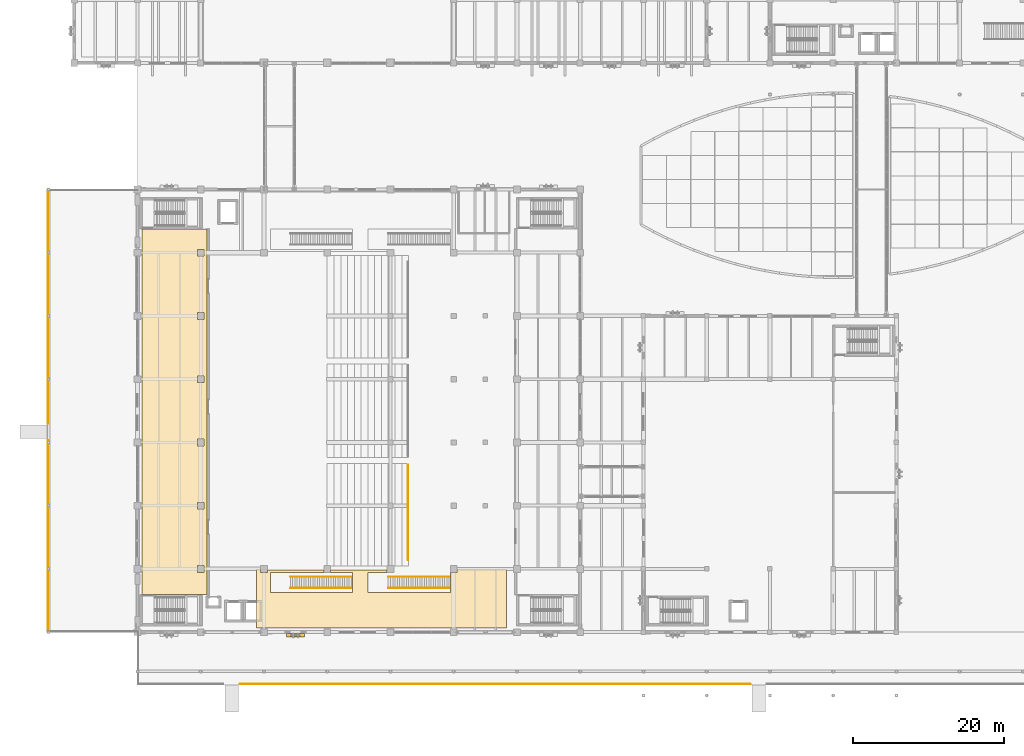
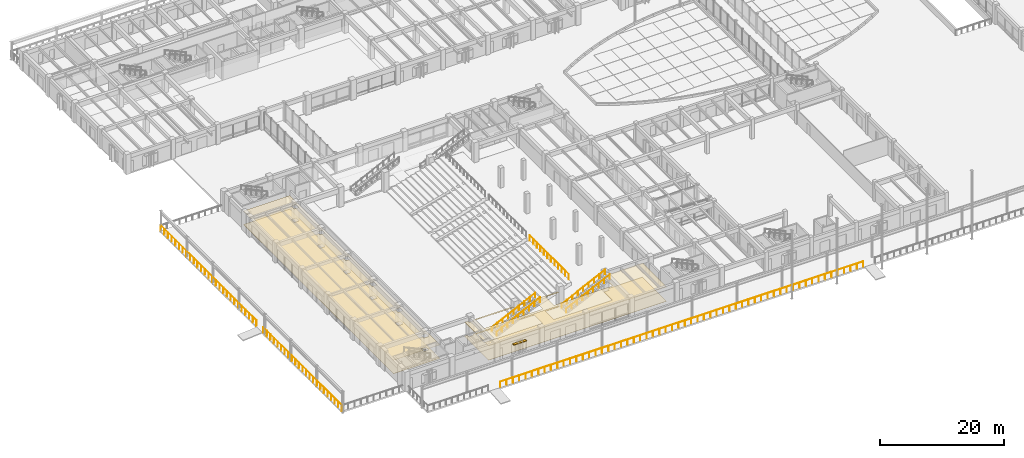
# One storey, part 106 of 135: 8 railings, 4 coverings, 1 shading device.
"""IFC4 building model written with IfcOpenShell, lengths in metres."""

from ifc_helpers import new_model, si_unit, direction, frame, origin, origin_2d, place, context, subcontext, project, spatial, polyline, rectangle, circle, outline, extrude, material, layer, layer_set, type_object, element, save


model = new_model("IFC4")

# Units and contexts
model_context = context("Model", 3, precision=1e-05, world=origin(), true_north=direction((0.0, 1.0)))
body_context = subcontext(model_context, "Body", "Model", "MODEL_VIEW")
ifc_project = project(units=[si_unit("LENGTHUNIT", "METRE"), si_unit("AREAUNIT", "SQUARE_METRE"), si_unit("VOLUMEUNIT", "CUBIC_METRE"), si_unit("PLANEANGLEUNIT", "RADIAN"), si_unit("MASSUNIT", "GRAM", prefix="KILO")], contexts=[model_context])

# Site, building, storey
site_placement = place(None, origin())
site = spatial("IfcSite", under=ifc_project, at=site_placement, CompositionType="ELEMENT")
building_placement = place(site_placement, origin())
building = spatial("IfcBuilding", under=site, at=building_placement, Name="Cumbredor Promenade Congress Hotel", CompositionType="ELEMENT")
storey_placement = place(building_placement, origin())
storey = spatial("IfcBuildingStorey", under=building, at=storey_placement, Name="L00", CompositionType="ELEMENT", Elevation=0.0)

# Coverings
ifc_material_1 = material(Name="Acoustic mineral-fiber and gypsum ceiling")
ifc_layer_1 = layer(ifc_material_1, 0.02197265625, Name="Acoustic mineral-fiber and gypsum ceiling")
ifc_layer_set_1 = layer_set([ifc_layer_1], Name="Acoustic mineral-fiber and gypsum ceiling")
covering_type_1 = type_object("IfcCoveringType", Name="Acoustic Perforated Gypsum Ceiling CLG-02 22mm", PredefinedType="CEILING", material=ifc_layer_set_1)
covering_1_placement = place(storey_placement, frame((0.0, 0.0, 2.6689453125)))
element("IfcCovering", 1, at=covering_1_placement, inside=storey, type_object=covering_type_1, Name="Plenary West Grand Concourse Foyer Acoustic Ceiling", PredefinedType="CEILING", context=body_context, shape_type="SweptSolid", body=[
    extrude(outline(polyline([(17.6201171875, 61.969970703125), (17.6201171875, 13.3798828125), (8.97998046875, 13.3798828125), (8.97998046875, 61.969970703125), (17.6201171875, 61.969970703125)]), holes=[polyline([(16.344970703125, 17.2548828125), (16.344970703125, 16.344970703125), (17.2548828125, 16.344970703125), (17.2548828125, 17.2548828125), (16.344970703125, 17.2548828125)]), polyline([(17.2548828125, 25.655029296875), (16.344970703125, 25.655029296875), (16.344970703125, 24.7451171875), (17.2548828125, 24.7451171875), (17.2548828125, 25.655029296875)]), polyline([(17.2548828125, 33.14501953125), (17.2548828125, 34.054931640625), (16.344970703125, 34.054931640625), (16.344970703125, 33.14501953125), (17.2548828125, 33.14501953125)]), polyline([(16.344970703125, 41.544921875), (17.2548828125, 41.544921875), (17.2548828125, 42.455078125), (16.344970703125, 42.455078125), (16.344970703125, 41.544921875)]), polyline([(16.344970703125, 50.85498046875), (16.344970703125, 49.945068359375), (17.2548828125, 49.945068359375), (17.2548828125, 50.85498046875), (16.344970703125, 50.85498046875)]), polyline([(17.2548828125, 59.2548828125), (16.344970703125, 59.2548828125), (16.344970703125, 58.344970703125), (17.2548828125, 58.344970703125), (17.2548828125, 59.2548828125)])]), origin(), (0.0, 0.0, 1.0), 0.02197265625),
])
ifc_layer_2 = layer(ifc_material_1, 0.028076171875, Name="Acoustic mineral-fiber and gypsum ceiling")
ifc_layer_set_2 = layer_set([ifc_layer_2], Name="Acoustic mineral-fiber and gypsum ceiling")
covering_type_2 = type_object("IfcCoveringType", Name="Acoustic Perforated Gypsum Ceiling CLG-03 28mm", PredefinedType="CEILING", material=ifc_layer_set_2)
covering_2_placement = place(storey_placement, frame((0.0, 0.0, 2.81298828125)))
element("IfcCovering", 2, at=covering_2_placement, inside=storey, type_object=covering_type_2, Name="Plenary South Promenade Concourse Acoustic Ceiling", PredefinedType="CEILING", context=body_context, shape_type="SweptSolid", body=[
    extrude(outline(polyline([(24.7451171875, 16.820068359375), (24.7451171875, 16.344970703125), (25.655029296875, 16.344970703125), (25.655029296875, 16.64990234375), (33.14501953125, 16.64990234375), (33.14501953125, 16.35009765625), (26.050048828125, 16.35009765625), (26.050048828125, 13.64990234375), (36.949951171875, 13.64990234375), (36.949951171875, 16.35009765625), (34.054931640625, 16.35009765625), (34.054931640625, 16.64990234375), (41.544921875, 16.64990234375), (41.544921875, 16.35009765625), (39.050048828125, 16.35009765625), (39.050048828125, 13.64990234375), (49.949951171875, 13.64990234375), (49.949951171875, 16.344970703125), (50.85498046875, 16.344970703125), (50.85498046875, 16.820068359375), (57.419921875, 16.820068359375), (57.419921875, 8.97998046875), (24.179931640625, 8.97998046875), (24.179931640625, 16.820068359375), (24.7451171875, 16.820068359375)])), origin(), (0.0, 0.0, 1.0), 0.028076171875),
])

# Shading device
ifc_material_2 = material(Name="Thermally broken anodized aluminium", Category="aluminium")
shading_device_type = type_object("IfcShadingDeviceType", Name="Horizontal Bronze Jalousie Louvre JAL-01", PredefinedType="JALOUSIE", material=ifc_material_2)
shading_device_placement = place(storey_placement, frame((29.39990234375, 8.0, 2.260009765625), z_axis=(0.0, 0.0, 1.0), x_axis=(1.0, 0.0, 0.0)))
element("IfcShadingDevice", 3, at=shading_device_placement, inside=storey, type_object=shading_device_type, Name="L00 Horizontal Bronze Jalousie 002", PredefinedType="JALOUSIE", context=body_context, shape_type="SweptSolid", body=[
    extrude(rectangle(XDim=2.39990234375, YDim=0.449951171875, at=origin_2d()), origin(), (0.0, 0.0, 1.0), 0.1201171875),
])

# Railing
ifc_material_3 = material(Name="Brushed stainless steel", Category="steel")
railing_type_1 = type_object("IfcRailingType", Name="Interior Void & Stair Guardrail GR-1100", PredefinedType="GUARDRAIL", material=ifc_material_3)
railing_1_placement = place(storey_placement, frame((44.35009765625, 18.0, 3.360107421875)))
element("IfcRailing", 4, at=railing_1_placement, inside=storey, type_object=railing_type_1, Name="Lower Orchestra Tier 1 Rear Guardrail", PredefinedType="GUARDRAIL", context=body_context, shape_type="SweptSolid", body=[
    extrude(circle(Radius=0.02392578125, at=origin_2d()), frame((0.0, 0.0, 1.09619140625), z_axis=(0.0, 1.0, 0.0), x_axis=(-1.0, 0.0, 0.0)), (0.0, 0.0, 1.0), 12.60009765625),
    extrude(circle(Radius=0.02099609375, at=origin_2d()), origin(), (0.0, 0.0, 1.0), 1.072021484375),
    extrude(circle(Radius=0.02099609375, at=origin_2d()), frame((0.0, 1.1455078125, 0.0)), (0.0, 0.0, 1.0), 1.072021484375),
    extrude(circle(Radius=0.02099609375, at=origin_2d()), frame((0.0, 2.291015625, 0.0)), (0.0, 0.0, 1.0), 1.072021484375),
    extrude(circle(Radius=0.02099609375, at=origin_2d()), frame((0.0, 3.436279296875, 0.0)), (0.0, 0.0, 1.0), 1.072021484375),
    extrude(circle(Radius=0.02099609375, at=origin_2d()), frame((0.0, 4.581787109375, 0.0)), (0.0, 0.0, 1.0), 1.072021484375),
    extrude(circle(Radius=0.02099609375, at=origin_2d()), frame((0.0, 5.727294921875, 0.0)), (0.0, 0.0, 1.0), 1.072021484375),
    extrude(circle(Radius=0.02099609375, at=origin_2d()), frame((0.0, 6.872802734375, 0.0)), (0.0, 0.0, 1.0), 1.072021484375),
    extrude(circle(Radius=0.02099609375, at=origin_2d()), frame((0.0, 8.018310546875, 0.0)), (0.0, 0.0, 1.0), 1.072021484375),
    extrude(circle(Radius=0.02099609375, at=origin_2d()), frame((0.0, 9.163818359375, 0.0)), (0.0, 0.0, 1.0), 1.072021484375),
    extrude(circle(Radius=0.02099609375, at=origin_2d()), frame((0.0, 10.30908203125, 0.0)), (0.0, 0.0, 1.0), 1.072021484375),
    extrude(circle(Radius=0.02099609375, at=origin_2d()), frame((0.0, 11.45458984375, 0.0)), (0.0, 0.0, 1.0), 1.072021484375),
    extrude(circle(Radius=0.02099609375, at=origin_2d()), frame((0.0, 12.60009765625, 0.0)), (0.0, 0.0, 1.0), 1.072021484375),
])

# Coverings
ifc_material_4 = material(Name="Porcelain stoneware tile", Category="masonry")
ifc_layer_3 = layer(ifc_material_4, 0.02490234375, Name="Porcelain stoneware tile", Category="masonry")
ifc_layer_set_3 = layer_set([ifc_layer_3], Name="Porcelain stoneware tile")
covering_type_3 = type_object("IfcCoveringType", Name="Porcelain Stoneware Flooring FLR-02 25mm", PredefinedType="FLOORING", material=ifc_layer_set_3)
covering_3_placement = place(storey_placement, origin())
element("IfcCovering", 5, at=covering_3_placement, inside=storey, type_object=covering_type_3, Name="Plenary West Grand Concourse Foyer Porcelain Flooring", PredefinedType="FLOORING", context=body_context, shape_type="SweptSolid", body=[
    extrude(outline(polyline([(17.6201171875, 61.969970703125), (17.6201171875, 13.3798828125), (8.97998046875, 13.3798828125), (8.97998046875, 61.969970703125), (17.6201171875, 61.969970703125)]), holes=[polyline([(16.344970703125, 17.2548828125), (16.344970703125, 16.344970703125), (17.2548828125, 16.344970703125), (17.2548828125, 17.2548828125), (16.344970703125, 17.2548828125)]), polyline([(17.2548828125, 25.655029296875), (16.344970703125, 25.655029296875), (16.344970703125, 24.7451171875), (17.2548828125, 24.7451171875), (17.2548828125, 25.655029296875)]), polyline([(17.2548828125, 33.14501953125), (17.2548828125, 34.054931640625), (16.344970703125, 34.054931640625), (16.344970703125, 33.14501953125), (17.2548828125, 33.14501953125)]), polyline([(16.344970703125, 41.544921875), (17.2548828125, 41.544921875), (17.2548828125, 42.455078125), (16.344970703125, 42.455078125), (16.344970703125, 41.544921875)]), polyline([(16.344970703125, 50.85498046875), (16.344970703125, 49.945068359375), (17.2548828125, 49.945068359375), (17.2548828125, 50.85498046875), (16.344970703125, 50.85498046875)]), polyline([(17.2548828125, 59.2548828125), (16.344970703125, 59.2548828125), (16.344970703125, 58.344970703125), (17.2548828125, 58.344970703125), (17.2548828125, 59.2548828125)])]), origin(), (0.0, 0.0, 1.0), 0.02490234375),
])
ifc_layer_4 = layer(ifc_material_4, 0.030029296875, Name="Porcelain stoneware tile", Category="masonry")
ifc_layer_set_4 = layer_set([ifc_layer_4], Name="Porcelain stoneware tile")
covering_type_4 = type_object("IfcCoveringType", Name="Porcelain Stoneware Flooring FLR-03 30mm", PredefinedType="FLOORING", material=ifc_layer_set_4)
covering_4_placement = place(storey_placement, origin())
element("IfcCovering", 6, at=covering_4_placement, inside=storey, type_object=covering_type_4, Name="Plenary South Promenade Concourse Porcelain Flooring", PredefinedType="FLOORING", context=body_context, shape_type="SweptSolid", body=[
    extrude(outline(polyline([(24.7451171875, 16.820068359375), (24.7451171875, 16.344970703125), (25.655029296875, 16.344970703125), (25.655029296875, 16.64990234375), (33.14501953125, 16.64990234375), (33.14501953125, 16.35009765625), (26.050048828125, 16.35009765625), (26.050048828125, 13.64990234375), (36.949951171875, 13.64990234375), (36.949951171875, 16.35009765625), (34.054931640625, 16.35009765625), (34.054931640625, 16.64990234375), (41.544921875, 16.64990234375), (41.544921875, 16.35009765625), (39.050048828125, 16.35009765625), (39.050048828125, 13.64990234375), (49.949951171875, 13.64990234375), (49.949951171875, 16.344970703125), (50.85498046875, 16.344970703125), (50.85498046875, 16.820068359375), (57.419921875, 16.820068359375), (57.419921875, 8.97998046875), (24.179931640625, 8.97998046875), (24.179931640625, 16.820068359375), (24.7451171875, 16.820068359375)])), origin(), (0.0, 0.0, 1.0), 0.030029296875),
])

# Railings
railing_type_2 = type_object("IfcRailingType", Name="Stair Pitch Handrail HR-900", PredefinedType="HANDRAIL", material=ifc_material_3)
for number, where, name in (
    (7, (28.7041015625, 14.25, -0.0029296875), "Plenary South-West Vomitory Stair Handrail R"),
    (8, (28.7041015625, 15.75, -0.0029296875), "Plenary South-West Vomitory Stair Handrail L"),
    (9, (41.7041015625, 14.25, -0.0029296875), "Plenary South-East Vomitory Stair Handrail R"),
    (10, (41.7041015625, 15.75, -0.0029296875), "Plenary South-East Vomitory Stair Handrail L"),
):
    element("IfcRailing", number, at=place(storey_placement, frame(where)), inside=storey, type_object=railing_type_2, Name=name, PredefinedType="HANDRAIL", context=body_context, shape_type="SweptSolid", body=[
        extrude(circle(Radius=0.02099609375, at=origin_2d()), frame((0.0, 0.0, 0.87890625), z_axis=(0.900131454984, 0.0, 0.435618369389), x_axis=(0.0, 1.0, 0.0)), (0.0, 0.0, 1.0), 8.99853515625),
        extrude(circle(Radius=0.01806640625, at=origin_2d()), origin(), (0.0, 0.0, 1.0), 0.85791015625),
        extrude(circle(Radius=0.01806640625, at=origin_2d()), frame((1.012451171875, 0.0, 0.489990234375)), (0.0, 0.0, 1.0), 0.85791015625),
        extrude(circle(Radius=0.01806640625, at=origin_2d()), frame((2.02490234375, 0.0, 0.97998046875)), (0.0, 0.0, 1.0), 0.85791015625),
        extrude(circle(Radius=0.01806640625, at=origin_2d()), frame((3.037353515625, 0.0, 1.469970703125)), (0.0, 0.0, 1.0), 0.85791015625),
        extrude(circle(Radius=0.01806640625, at=origin_2d()), frame((4.0498046875, 0.0, 1.9599609375)), (0.0, 0.0, 1.0), 0.85791015625),
        extrude(circle(Radius=0.01806640625, at=origin_2d()), frame((5.0625, 0.0, 2.449951171875)), (0.0, 0.0, 1.0), 0.85791015625),
        extrude(circle(Radius=0.01806640625, at=origin_2d()), frame((6.074951171875, 0.0, 2.93994140625)), (0.0, 0.0, 1.0), 0.85791015625),
        extrude(circle(Radius=0.01806640625, at=origin_2d()), frame((7.08740234375, 0.0, 3.429931640625)), (0.0, 0.0, 1.0), 0.85791015625),
        extrude(circle(Radius=0.01806640625, at=origin_2d()), frame((8.099853515625, 0.0, 3.919921875)), (0.0, 0.0, 1.0), 0.85791015625),
    ])
railing_type_3 = type_object("IfcRailingType", Name="Terrace Perimeter Balustrade BAL-1120", PredefinedType="BALUSTRADE", material=ifc_material_3)
railing_2_placement = place(storey_placement, frame((-3.5, 8.5, 0.0)))
element("IfcRailing", 11, at=railing_2_placement, inside=storey, type_object=railing_type_3, Name="L00 Promenade Terrace Balustrade 01", PredefinedType="BALUSTRADE", context=body_context, shape_type="SweptSolid", body=[
    extrude(circle(Radius=0.02392578125, at=origin_2d()), frame((0.0, 0.0, 1.09619140625), z_axis=(0.0, 1.0, 0.0), x_axis=(-1.0, 0.0, 0.0)), (0.0, 0.0, 1.0), 25.39990234375),
    extrude(circle(Radius=0.02099609375, at=origin_2d()), origin(), (0.0, 0.0, 1.0), 1.072021484375),
    extrude(circle(Radius=0.02099609375, at=origin_2d()), frame((0.0, 1.154541015625, 0.0)), (0.0, 0.0, 1.0), 1.072021484375),
    extrude(circle(Radius=0.02099609375, at=origin_2d()), frame((0.0, 2.30908203125, 0.0)), (0.0, 0.0, 1.0), 1.072021484375),
    extrude(circle(Radius=0.02099609375, at=origin_2d()), frame((0.0, 3.463623046875, 0.0)), (0.0, 0.0, 1.0), 1.072021484375),
    extrude(circle(Radius=0.02099609375, at=origin_2d()), frame((0.0, 4.6181640625, 0.0)), (0.0, 0.0, 1.0), 1.072021484375),
    extrude(circle(Radius=0.02099609375, at=origin_2d()), frame((0.0, 5.772705078125, 0.0)), (0.0, 0.0, 1.0), 1.072021484375),
    extrude(circle(Radius=0.02099609375, at=origin_2d()), frame((0.0, 6.92724609375, 0.0)), (0.0, 0.0, 1.0), 1.072021484375),
    extrude(circle(Radius=0.02099609375, at=origin_2d()), frame((0.0, 8.081787109375, 0.0)), (0.0, 0.0, 1.0), 1.072021484375),
    extrude(circle(Radius=0.02099609375, at=origin_2d()), frame((0.0, 9.236328125, 0.0)), (0.0, 0.0, 1.0), 1.072021484375),
    extrude(circle(Radius=0.02099609375, at=origin_2d()), frame((0.0, 10.390869140625, 0.0)), (0.0, 0.0, 1.0), 1.072021484375),
    extrude(circle(Radius=0.02099609375, at=origin_2d()), frame((0.0, 11.54541015625, 0.0)), (0.0, 0.0, 1.0), 1.072021484375),
    extrude(circle(Radius=0.02099609375, at=origin_2d()), frame((0.0, 12.699951171875, 0.0)), (0.0, 0.0, 1.0), 1.072021484375),
    extrude(circle(Radius=0.02099609375, at=origin_2d()), frame((0.0, 13.8544921875, 0.0)), (0.0, 0.0, 1.0), 1.072021484375),
    extrude(circle(Radius=0.02099609375, at=origin_2d()), frame((0.0, 15.009033203125, 0.0)), (0.0, 0.0, 1.0), 1.072021484375),
    extrude(circle(Radius=0.02099609375, at=origin_2d()), frame((0.0, 16.16357421875, 0.0)), (0.0, 0.0, 1.0), 1.072021484375),
    extrude(circle(Radius=0.02099609375, at=origin_2d()), frame((0.0, 17.318115234375, 0.0)), (0.0, 0.0, 1.0), 1.072021484375),
    extrude(circle(Radius=0.02099609375, at=origin_2d()), frame((0.0, 18.47265625, 0.0)), (0.0, 0.0, 1.0), 1.072021484375),
    extrude(circle(Radius=0.02099609375, at=origin_2d()), frame((0.0, 19.627197265625, 0.0)), (0.0, 0.0, 1.0), 1.072021484375),
    extrude(circle(Radius=0.02099609375, at=origin_2d()), frame((0.0, 20.78173828125, 0.0)), (0.0, 0.0, 1.0), 1.072021484375),
    extrude(circle(Radius=0.02099609375, at=origin_2d()), frame((0.0, 21.936279296875, 0.0)), (0.0, 0.0, 1.0), 1.072021484375),
    extrude(circle(Radius=0.02099609375, at=origin_2d()), frame((0.0, 23.0908203125, 0.0)), (0.0, 0.0, 1.0), 1.072021484375),
    extrude(circle(Radius=0.02099609375, at=origin_2d()), frame((0.0, 24.245361328125, 0.0)), (0.0, 0.0, 1.0), 1.072021484375),
    extrude(circle(Radius=0.02099609375, at=origin_2d()), frame((0.0, 25.39990234375, 0.0)), (0.0, 0.0, 1.0), 1.072021484375),
])
railing_3_placement = place(storey_placement, frame((-3.5, 36.10009765625, 0.0)))
element("IfcRailing", 12, at=railing_3_placement, inside=storey, type_object=railing_type_3, Name="L00 Promenade Terrace Balustrade 02", PredefinedType="BALUSTRADE", context=body_context, shape_type="SweptSolid", body=[
    extrude(circle(Radius=0.02392578125, at=origin_2d()), frame((0.0, 0.0, 1.09619140625), z_axis=(0.0, 1.0, 0.0), x_axis=(-1.0, 0.0, 0.0)), (0.0, 0.0, 1.0), 31.0),
    extrude(circle(Radius=0.02099609375, at=origin_2d()), origin(), (0.0, 0.0, 1.0), 1.072021484375),
    extrude(circle(Radius=0.02099609375, at=origin_2d()), frame((0.0, 1.1923828125, 0.0)), (0.0, 0.0, 1.0), 1.072021484375),
    extrude(circle(Radius=0.02099609375, at=origin_2d()), frame((0.0, 2.384521484375, 0.0)), (0.0, 0.0, 1.0), 1.072021484375),
    extrude(circle(Radius=0.02099609375, at=origin_2d()), frame((0.0, 3.576904296875, 0.0)), (0.0, 0.0, 1.0), 1.072021484375),
    extrude(circle(Radius=0.02099609375, at=origin_2d()), frame((0.0, 4.769287109375, 0.0)), (0.0, 0.0, 1.0), 1.072021484375),
    extrude(circle(Radius=0.02099609375, at=origin_2d()), frame((0.0, 5.96142578125, 0.0)), (0.0, 0.0, 1.0), 1.072021484375),
    extrude(circle(Radius=0.02099609375, at=origin_2d()), frame((0.0, 7.15380859375, 0.0)), (0.0, 0.0, 1.0), 1.072021484375),
    extrude(circle(Radius=0.02099609375, at=origin_2d()), frame((0.0, 8.34619140625, 0.0)), (0.0, 0.0, 1.0), 1.072021484375),
    extrude(circle(Radius=0.02099609375, at=origin_2d()), frame((0.0, 9.53857421875, 0.0)), (0.0, 0.0, 1.0), 1.072021484375),
    extrude(circle(Radius=0.02099609375, at=origin_2d()), frame((0.0, 10.730712890625, 0.0)), (0.0, 0.0, 1.0), 1.072021484375),
    extrude(circle(Radius=0.02099609375, at=origin_2d()), frame((0.0, 11.923095703125, 0.0)), (0.0, 0.0, 1.0), 1.072021484375),
    extrude(circle(Radius=0.02099609375, at=origin_2d()), frame((0.0, 13.115478515625, 0.0)), (0.0, 0.0, 1.0), 1.072021484375),
    extrude(circle(Radius=0.02099609375, at=origin_2d()), frame((0.0, 14.3076171875, 0.0)), (0.0, 0.0, 1.0), 1.072021484375),
    extrude(circle(Radius=0.02099609375, at=origin_2d()), frame((0.0, 15.5, 0.0)), (0.0, 0.0, 1.0), 1.072021484375),
    extrude(circle(Radius=0.02099609375, at=origin_2d()), frame((0.0, 16.6923828125, 0.0)), (0.0, 0.0, 1.0), 1.072021484375),
    extrude(circle(Radius=0.02099609375, at=origin_2d()), frame((0.0, 17.884521484375, 0.0)), (0.0, 0.0, 1.0), 1.072021484375),
    extrude(circle(Radius=0.02099609375, at=origin_2d()), frame((0.0, 19.076904296875, 0.0)), (0.0, 0.0, 1.0), 1.072021484375),
    extrude(circle(Radius=0.02099609375, at=origin_2d()), frame((0.0, 20.269287109375, 0.0)), (0.0, 0.0, 1.0), 1.072021484375),
    extrude(circle(Radius=0.02099609375, at=origin_2d()), frame((0.0, 21.46142578125, 0.0)), (0.0, 0.0, 1.0), 1.072021484375),
    extrude(circle(Radius=0.02099609375, at=origin_2d()), frame((0.0, 22.65380859375, 0.0)), (0.0, 0.0, 1.0), 1.072021484375),
    extrude(circle(Radius=0.02099609375, at=origin_2d()), frame((0.0, 23.84619140625, 0.0)), (0.0, 0.0, 1.0), 1.072021484375),
    extrude(circle(Radius=0.02099609375, at=origin_2d()), frame((0.0, 25.03857421875, 0.0)), (0.0, 0.0, 1.0), 1.072021484375),
    extrude(circle(Radius=0.02099609375, at=origin_2d()), frame((0.0, 26.230712890625, 0.0)), (0.0, 0.0, 1.0), 1.072021484375),
    extrude(circle(Radius=0.02099609375, at=origin_2d()), frame((0.0, 27.423095703125, 0.0)), (0.0, 0.0, 1.0), 1.072021484375),
    extrude(circle(Radius=0.02099609375, at=origin_2d()), frame((0.0, 28.615478515625, 0.0)), (0.0, 0.0, 1.0), 1.072021484375),
    extrude(circle(Radius=0.02099609375, at=origin_2d()), frame((0.0, 29.8076171875, 0.0)), (0.0, 0.0, 1.0), 1.072021484375),
    extrude(circle(Radius=0.02099609375, at=origin_2d()), frame((0.0, 31.0, 0.0)), (0.0, 0.0, 1.0), 1.072021484375),
])
railing_4_placement = place(storey_placement, frame((22.0, 1.5, 0.0)))
element("IfcRailing", 13, at=railing_4_placement, inside=storey, type_object=railing_type_3, Name="L00 Promenade Terrace Balustrade 06", PredefinedType="BALUSTRADE", context=body_context, shape_type="SweptSolid", body=[
    extrude(circle(Radius=0.02392578125, at=origin_2d()), frame((0.0, 0.0, 1.09619140625), z_axis=(1.0, 0.0, 0.0), x_axis=(0.0, 1.0, 0.0)), (0.0, 0.0, 1.0), 67.800048828125),
    extrude(circle(Radius=0.02099609375, at=origin_2d()), origin(), (0.0, 0.0, 1.0), 1.072021484375),
    extrude(circle(Radius=0.02099609375, at=origin_2d()), frame((1.189453125, 0.0, 0.0)), (0.0, 0.0, 1.0), 1.072021484375),
    extrude(circle(Radius=0.02099609375, at=origin_2d()), frame((2.37890625, 0.0, 0.0)), (0.0, 0.0, 1.0), 1.072021484375),
    extrude(circle(Radius=0.02099609375, at=origin_2d()), frame((3.568359375, 0.0, 0.0)), (0.0, 0.0, 1.0), 1.072021484375),
    extrude(circle(Radius=0.02099609375, at=origin_2d()), frame((4.7578125, 0.0, 0.0)), (0.0, 0.0, 1.0), 1.072021484375),
    extrude(circle(Radius=0.02099609375, at=origin_2d()), frame((5.947265625, 0.0, 0.0)), (0.0, 0.0, 1.0), 1.072021484375),
    extrude(circle(Radius=0.02099609375, at=origin_2d()), frame((7.136962890625, 0.0, 0.0)), (0.0, 0.0, 1.0), 1.072021484375),
    extrude(circle(Radius=0.02099609375, at=origin_2d()), frame((8.326416015625, 0.0, 0.0)), (0.0, 0.0, 1.0), 1.072021484375),
    extrude(circle(Radius=0.02099609375, at=origin_2d()), frame((9.515869140625, 0.0, 0.0)), (0.0, 0.0, 1.0), 1.072021484375),
    extrude(circle(Radius=0.02099609375, at=origin_2d()), frame((10.705322265625, 0.0, 0.0)), (0.0, 0.0, 1.0), 1.072021484375),
    extrude(circle(Radius=0.02099609375, at=origin_2d()), frame((11.894775390625, 0.0, 0.0)), (0.0, 0.0, 1.0), 1.072021484375),
    extrude(circle(Radius=0.02099609375, at=origin_2d()), frame((13.084228515625, 0.0, 0.0)), (0.0, 0.0, 1.0), 1.072021484375),
    extrude(circle(Radius=0.02099609375, at=origin_2d()), frame((14.273681640625, 0.0, 0.0)), (0.0, 0.0, 1.0), 1.072021484375),
    extrude(circle(Radius=0.02099609375, at=origin_2d()), frame((15.463134765625, 0.0, 0.0)), (0.0, 0.0, 1.0), 1.072021484375),
    extrude(circle(Radius=0.02099609375, at=origin_2d()), frame((16.652587890625, 0.0, 0.0)), (0.0, 0.0, 1.0), 1.072021484375),
    extrude(circle(Radius=0.02099609375, at=origin_2d()), frame((17.842041015625, 0.0, 0.0)), (0.0, 0.0, 1.0), 1.072021484375),
    extrude(circle(Radius=0.02099609375, at=origin_2d()), frame((19.031494140625, 0.0, 0.0)), (0.0, 0.0, 1.0), 1.072021484375),
    extrude(circle(Radius=0.02099609375, at=origin_2d()), frame((20.220947265625, 0.0, 0.0)), (0.0, 0.0, 1.0), 1.072021484375),
    extrude(circle(Radius=0.02099609375, at=origin_2d()), frame((21.41064453125, 0.0, 0.0)), (0.0, 0.0, 1.0), 1.072021484375),
    extrude(circle(Radius=0.02099609375, at=origin_2d()), frame((22.60009765625, 0.0, 0.0)), (0.0, 0.0, 1.0), 1.072021484375),
    extrude(circle(Radius=0.02099609375, at=origin_2d()), frame((23.78955078125, 0.0, 0.0)), (0.0, 0.0, 1.0), 1.072021484375),
    extrude(circle(Radius=0.02099609375, at=origin_2d()), frame((24.97900390625, 0.0, 0.0)), (0.0, 0.0, 1.0), 1.072021484375),
    extrude(circle(Radius=0.02099609375, at=origin_2d()), frame((26.16845703125, 0.0, 0.0)), (0.0, 0.0, 1.0), 1.072021484375),
    extrude(circle(Radius=0.02099609375, at=origin_2d()), frame((27.35791015625, 0.0, 0.0)), (0.0, 0.0, 1.0), 1.072021484375),
    extrude(circle(Radius=0.02099609375, at=origin_2d()), frame((28.54736328125, 0.0, 0.0)), (0.0, 0.0, 1.0), 1.072021484375),
    extrude(circle(Radius=0.02099609375, at=origin_2d()), frame((29.73681640625, 0.0, 0.0)), (0.0, 0.0, 1.0), 1.072021484375),
    extrude(circle(Radius=0.02099609375, at=origin_2d()), frame((30.92626953125, 0.0, 0.0)), (0.0, 0.0, 1.0), 1.072021484375),
    extrude(circle(Radius=0.02099609375, at=origin_2d()), frame((32.11572265625, 0.0, 0.0)), (0.0, 0.0, 1.0), 1.072021484375),
    extrude(circle(Radius=0.02099609375, at=origin_2d()), frame((33.30517578125, 0.0, 0.0)), (0.0, 0.0, 1.0), 1.072021484375),
    extrude(circle(Radius=0.02099609375, at=origin_2d()), frame((34.494873046875, 0.0, 0.0)), (0.0, 0.0, 1.0), 1.072021484375),
    extrude(circle(Radius=0.02099609375, at=origin_2d()), frame((35.684326171875, 0.0, 0.0)), (0.0, 0.0, 1.0), 1.072021484375),
    extrude(circle(Radius=0.02099609375, at=origin_2d()), frame((36.873779296875, 0.0, 0.0)), (0.0, 0.0, 1.0), 1.072021484375),
    extrude(circle(Radius=0.02099609375, at=origin_2d()), frame((38.063232421875, 0.0, 0.0)), (0.0, 0.0, 1.0), 1.072021484375),
    extrude(circle(Radius=0.02099609375, at=origin_2d()), frame((39.252685546875, 0.0, 0.0)), (0.0, 0.0, 1.0), 1.072021484375),
    extrude(circle(Radius=0.02099609375, at=origin_2d()), frame((40.442138671875, 0.0, 0.0)), (0.0, 0.0, 1.0), 1.072021484375),
    extrude(circle(Radius=0.02099609375, at=origin_2d()), frame((41.631591796875, 0.0, 0.0)), (0.0, 0.0, 1.0), 1.072021484375),
    extrude(circle(Radius=0.02099609375, at=origin_2d()), frame((42.821044921875, 0.0, 0.0)), (0.0, 0.0, 1.0), 1.072021484375),
    extrude(circle(Radius=0.02099609375, at=origin_2d()), frame((44.010498046875, 0.0, 0.0)), (0.0, 0.0, 1.0), 1.072021484375),
    extrude(circle(Radius=0.02099609375, at=origin_2d()), frame((45.199951171875, 0.0, 0.0)), (0.0, 0.0, 1.0), 1.072021484375),
    extrude(circle(Radius=0.02099609375, at=origin_2d()), frame((46.389404296875, 0.0, 0.0)), (0.0, 0.0, 1.0), 1.072021484375),
    extrude(circle(Radius=0.02099609375, at=origin_2d()), frame((47.5791015625, 0.0, 0.0)), (0.0, 0.0, 1.0), 1.072021484375),
    extrude(circle(Radius=0.02099609375, at=origin_2d()), frame((48.7685546875, 0.0, 0.0)), (0.0, 0.0, 1.0), 1.072021484375),
    extrude(circle(Radius=0.02099609375, at=origin_2d()), frame((49.9580078125, 0.0, 0.0)), (0.0, 0.0, 1.0), 1.072021484375),
    extrude(circle(Radius=0.02099609375, at=origin_2d()), frame((51.1474609375, 0.0, 0.0)), (0.0, 0.0, 1.0), 1.072021484375),
    extrude(circle(Radius=0.02099609375, at=origin_2d()), frame((52.3369140625, 0.0, 0.0)), (0.0, 0.0, 1.0), 1.072021484375),
    extrude(circle(Radius=0.02099609375, at=origin_2d()), frame((53.5263671875, 0.0, 0.0)), (0.0, 0.0, 1.0), 1.072021484375),
    extrude(circle(Radius=0.02099609375, at=origin_2d()), frame((54.7158203125, 0.0, 0.0)), (0.0, 0.0, 1.0), 1.072021484375),
    extrude(circle(Radius=0.02099609375, at=origin_2d()), frame((55.9052734375, 0.0, 0.0)), (0.0, 0.0, 1.0), 1.072021484375),
    extrude(circle(Radius=0.02099609375, at=origin_2d()), frame((57.0947265625, 0.0, 0.0)), (0.0, 0.0, 1.0), 1.072021484375),
    extrude(circle(Radius=0.02099609375, at=origin_2d()), frame((58.2841796875, 0.0, 0.0)), (0.0, 0.0, 1.0), 1.072021484375),
    extrude(circle(Radius=0.02099609375, at=origin_2d()), frame((59.4736328125, 0.0, 0.0)), (0.0, 0.0, 1.0), 1.072021484375),
    extrude(circle(Radius=0.02099609375, at=origin_2d()), frame((60.6630859375, 0.0, 0.0)), (0.0, 0.0, 1.0), 1.072021484375),
    extrude(circle(Radius=0.02099609375, at=origin_2d()), frame((61.852783203125, 0.0, 0.0)), (0.0, 0.0, 1.0), 1.072021484375),
    extrude(circle(Radius=0.02099609375, at=origin_2d()), frame((63.042236328125, 0.0, 0.0)), (0.0, 0.0, 1.0), 1.072021484375),
    extrude(circle(Radius=0.02099609375, at=origin_2d()), frame((64.231689453125, 0.0, 0.0)), (0.0, 0.0, 1.0), 1.072021484375),
    extrude(circle(Radius=0.02099609375, at=origin_2d()), frame((65.421142578125, 0.0, 0.0)), (0.0, 0.0, 1.0), 1.072021484375),
    extrude(circle(Radius=0.02099609375, at=origin_2d()), frame((66.610595703125, 0.0, 0.0)), (0.0, 0.0, 1.0), 1.072021484375),
    extrude(circle(Radius=0.02099609375, at=origin_2d()), frame((67.800048828125, 0.0, 0.0)), (0.0, 0.0, 1.0), 1.072021484375),
])

save(model, "model.ifc")
